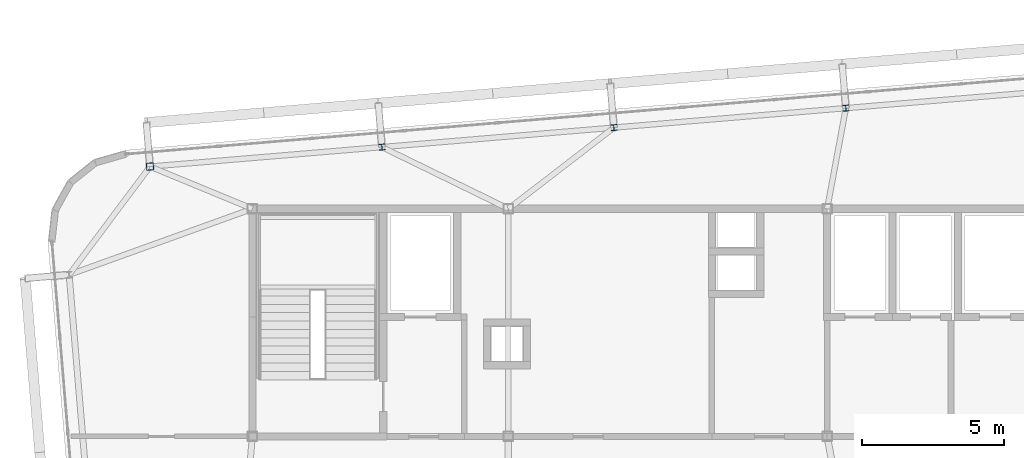
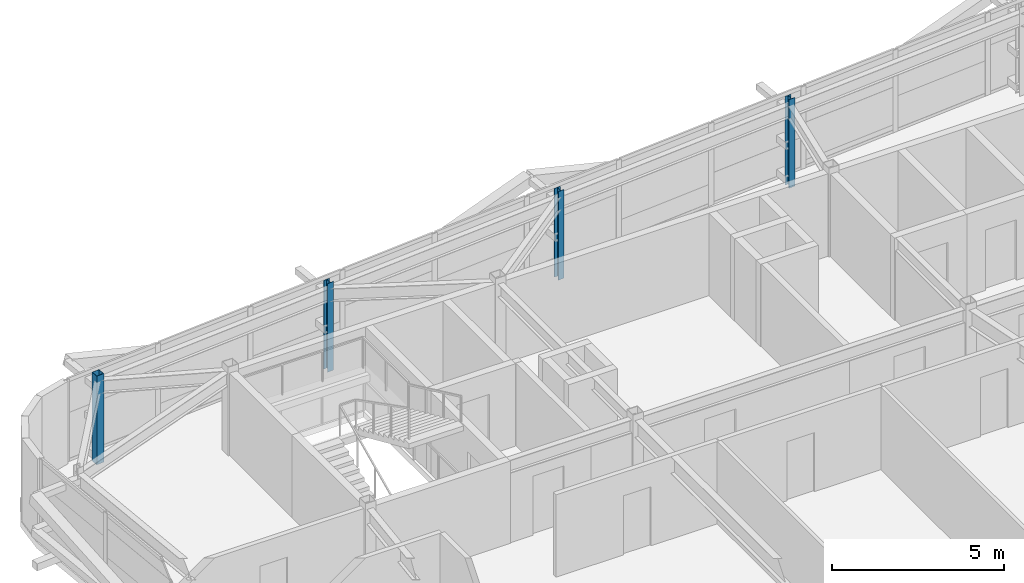
# One storey, part 5 of 46: 4 columns.
"""IFC4 building model written with IfcOpenShell, lengths in metres."""

from ifc_helpers import new_model, si_unit, direction, frame, origin, origin_2d, place, context, subcontext, project, spatial, hollow_rectangle, i_section, extrude, source, transform, mapped, material, material_profile, profile_set, type_object, element, save


model = new_model("IFC4")

# Units and contexts
model_context = context("Model", 3, precision=1e-05, world=origin(), true_north=direction((0.0, 1.0)))
body_context = subcontext(model_context, "Body", "Model", "MODEL_VIEW")
ifc_project = project(units=[si_unit("LENGTHUNIT", "METRE"), si_unit("AREAUNIT", "SQUARE_METRE"), si_unit("VOLUMEUNIT", "CUBIC_METRE"), si_unit("PLANEANGLEUNIT", "RADIAN"), si_unit("MASSUNIT", "GRAM", prefix="KILO")], contexts=[model_context])

# Site, building, storey
site_placement = place(None, origin())
site = spatial("IfcSite", under=ifc_project, at=site_placement, CompositionType="ELEMENT")
building_placement = place(site_placement, origin())
building = spatial("IfcBuilding", under=site, at=building_placement, Name="Taldren Reach Tower", CompositionType="ELEMENT")
storey_placement = place(building_placement, frame((0.0, 0.0, 188.300048828125)))
storey = spatial("IfcBuildingStorey", under=building, at=storey_placement, Name="L57", CompositionType="ELEMENT", Elevation=188.300048828125)

# Columns
ifc_material_1 = material(Name="Steel Gr 350 (C350L0)", Category="steel")
ifc_material_profile_1 = material_profile(ifc_material_1, hollow_rectangle(XDim=0.25, YDim=0.25, WallThickness=0.010009765625, at=origin_2d()), Name="250x250x10.0SHS")
ifc_profile_set_1 = profile_set([ifc_material_profile_1], Name="Steel Gr 350 (C350L0)")
column_type_1 = type_object("IfcColumnType", Name="COL-SHS250", PredefinedType="COLUMN", material=ifc_profile_set_1)
shared_shape_1 = source(origin(), body_context, "Body", "SweptSolid", [
    extrude(hollow_rectangle(XDim=0.25, YDim=0.25, WallThickness=0.010009765625, at=origin_2d()), origin(), (0.0, 0.0, 1.0), 3.14990234375),
])
column_placement = place(storey_placement, frame((15.40380859375, 33.483642578125, 0.0), z_axis=(0.0, 0.0, 1.0), x_axis=(0.99649285925, 0.083677843332, 0.0)))
element("IfcColumn", 1, at=column_placement, inside=storey, type_object=column_type_1, Name="Block B4 perimeter column N1 L57", PredefinedType="COLUMN", context=body_context, shape_type="MappedRepresentation", body=[
    mapped(shared_shape_1, transform((0.0, 0.0, 0.0), scale=1.0)),
])
ifc_material_2 = material(Name="Steel Gr 350 (350PLUS)", Category="steel")
ifc_material_profile_2 = material_profile(ifc_material_2, i_section(OverallWidth=0.205078125, OverallDepth=0.2099609375, WebThickness=0.00927734375, FlangeThickness=0.01416015625, at=origin_2d()), Name="200UC59.5")
ifc_profile_set_2 = profile_set([ifc_material_profile_2], Name="Steel Gr 350 (350PLUS)")
column_type_2 = type_object("IfcColumnType", Name="COL-UC200", PredefinedType="COLUMN", material=ifc_profile_set_2)
shared_shape_2 = source(origin(), body_context, "Body", "SweptSolid", [
    extrude(i_section(OverallWidth=0.205078125, OverallDepth=0.2099609375, WebThickness=0.00927734375, FlangeThickness=0.01416015625, at=origin_2d()), origin(), (0.0, 0.0, 1.0), 3.14990234375),
])
for number, where, z_axis, x_axis, name in (
    (2, (23.55517578125, 34.16796875, 0.0), (0.0, 0.0, 1.0), (0.99649285925, 0.083677843332, 0.0), "Block B4 perimeter column N2 L57"),
    (3, (31.706298828125, 34.8525390625, 0.0), (0.0, 0.0, 1.0), (0.99649285925, 0.083677843332, 0.0), "Block B4 perimeter column N3 L57"),
    (4, (39.857666015625, 35.537109375, 0.0), (0.0, 0.0, 1.0), (0.99649285925, 0.083677843332, 0.0), "Block B4 perimeter column N4 L57"),
):
    element("IfcColumn", number, at=place(storey_placement, frame(where, z_axis=z_axis, x_axis=x_axis)), inside=storey, type_object=column_type_2, Name=name, PredefinedType="COLUMN", context=body_context, shape_type="MappedRepresentation", body=[
        mapped(shared_shape_2, transform((0.0, 0.0, 0.0), scale=1.0)),
    ])

save(model, "model.ifc")
